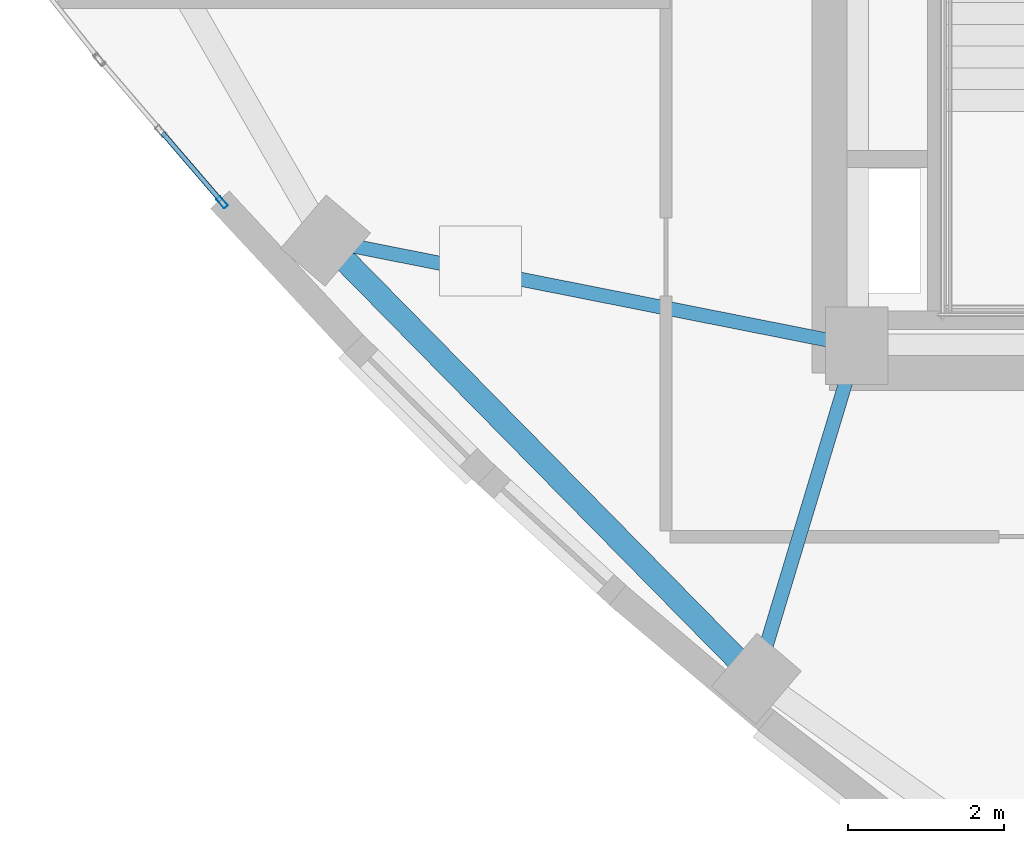
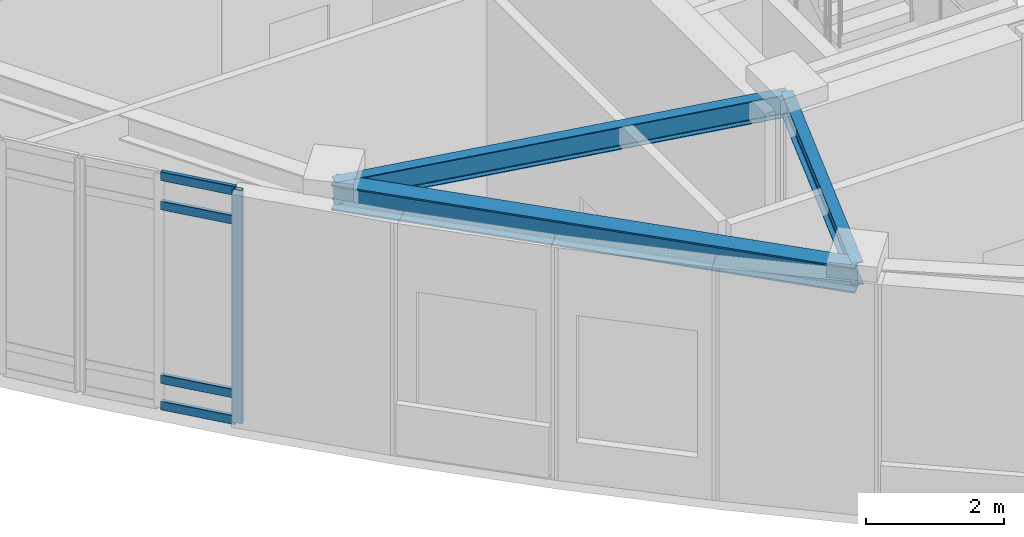
# One storey, part 2 of 19: 5 members, 3 beams, 1 element without a shape of its own.
"""IFC4 building model written with IfcOpenShell, lengths in metres."""

from ifc_helpers import new_model, si_unit, direction, frame, origin, origin_2d, place, context, subcontext, project, spatial, hollow_rectangle, i_section, extrude, material, layer, layer_set, material_profile, profile_set, type_object, element, aggregate, save


model = new_model("IFC4")

# Units and contexts
model_context = context("Model", 3, precision=1e-05, world=origin(), true_north=direction((0.0, 1.0)))
body_context = subcontext(model_context, "Body", "Model", "MODEL_VIEW")
ifc_project = project(units=[si_unit("LENGTHUNIT", "METRE"), si_unit("AREAUNIT", "SQUARE_METRE"), si_unit("VOLUMEUNIT", "CUBIC_METRE"), si_unit("PLANEANGLEUNIT", "RADIAN"), si_unit("MASSUNIT", "GRAM", prefix="KILO")], contexts=[model_context])

# Site, building, storey
site_placement = place(None, origin())
site = spatial("IfcSite", under=ifc_project, at=site_placement, CompositionType="ELEMENT")
building_placement = place(site_placement, origin())
building = spatial("IfcBuilding", under=site, at=building_placement, Name="Ndelora Gate Hotel", CompositionType="ELEMENT")
storey_placement = place(building_placement, frame((0.0, 0.0, 290.39990234375)))
storey = spatial("IfcBuildingStorey", under=building, at=storey_placement, Name="L72", CompositionType="ELEMENT", Elevation=290.39990234375)

# Beams
ifc_material_1 = material(Name="Steel S355", Category="steel")
ifc_material_profile_1 = material_profile(ifc_material_1, i_section(OverallWidth=0.179931640625, OverallDepth=0.39990234375, WebThickness=0.008544921875, FlangeThickness=0.013427734375, FilletRadius=0.02099609375, at=origin_2d()), Name="IPE 400")
ifc_profile_set_1 = profile_set([ifc_material_profile_1], Name="Steel S355")
beam_type_1 = type_object("IfcBeamType", Name="BM-RAD-400", PredefinedType="BEAM", material=ifc_profile_set_1)
beam_1_placement = place(storey_placement, frame((-8.0, -6.60009765625, 3.93017578125), z_axis=(-0.980943509294, 0.194293158846, 0.0), x_axis=(-0.194293158846, -0.980943509294, 0.0)))
element("IfcBeam", 1, at=beam_1_placement, inside=storey, type_object=beam_type_1, Name="L72 structural beam FB-5", PredefinedType="BEAM", context=body_context, shape_type="SweptSolid", body=[
    extrude(i_section(OverallWidth=0.179931640625, OverallDepth=0.39990234375, WebThickness=0.008544921875, FlangeThickness=0.013427734375, FilletRadius=0.02099609375, at=origin_2d()), origin(), (0.0, 0.0, 1.0), 6.955078125),
])
beam_2_placement = place(storey_placement, frame((-8.0, -6.60009765625, 3.93017578125), z_axis=(-0.288626468578, -0.957441779763, 0.0), x_axis=(0.957441779763, -0.288626468578, 0.0)))
element("IfcBeam", 2, at=beam_2_placement, inside=storey, type_object=beam_type_1, Name="L72 structural beam FB-5", PredefinedType="BEAM", context=body_context, shape_type="SweptSolid", body=[
    extrude(i_section(OverallWidth=0.179931640625, OverallDepth=0.39990234375, WebThickness=0.008544921875, FlangeThickness=0.013427734375, FilletRadius=0.02099609375, at=origin_2d()), origin(), (0.0, 0.0, 1.0), 4.46630859375),
])
ifc_material_profile_2 = material_profile(ifc_material_1, i_section(OverallWidth=0.300048828125, OverallDepth=0.449951171875, WebThickness=0.013916015625, FlangeThickness=0.02587890625, FilletRadius=0.027099609375, at=origin_2d()), Name="HEB 450")
ifc_profile_set_2 = profile_set([ifc_material_profile_2], Name="Steel S355")
beam_type_2 = type_object("IfcBeamType", Name="BM-RING-450", PredefinedType="SPANDREL", material=ifc_profile_set_2)
beam_3_placement = place(storey_placement, frame((-14.822509765625, -5.248779296875, 3.905029296875), z_axis=(0.701126845775, -0.713036567179, 0.0), x_axis=(0.713036567179, 0.701126845775, 0.0)))
element("IfcBeam", 3, at=beam_3_placement, inside=storey, type_object=beam_type_2, Name="L72 structural beam RB-5", PredefinedType="SPANDREL", context=body_context, shape_type="SweptSolid", body=[
    extrude(i_section(OverallWidth=0.300048828125, OverallDepth=0.449951171875, WebThickness=0.013916015625, FlangeThickness=0.02587890625, FilletRadius=0.027099609375, at=origin_2d()), origin(), (0.0, 0.0, 1.0), 7.892333984375),
])

# Curtain wall, members
ifc_material_2 = material(Name="Bronze Anodised Unitised Aluminium and Low-E Glass", Category="aluminium")
ifc_layer = layer(ifc_material_2, 0.219970703125)
ifc_layer_set = layer_set([ifc_layer], Name="Bronze Anodised Unitised Aluminium and Low-E Glass")
curtain_wall_type = type_object("IfcCurtainWallType", Name="CW-SYS-7", PredefinedType="NOTDEFINED", material=ifc_layer_set)
curtain_wall_placement = place(storey_placement, origin())
curtain_wall = element("IfcCurtainWall", 4, at=curtain_wall_placement, inside=storey, type_object=curtain_wall_type, Name="L72 West Peak Horizon Observatory Curtain Wall 2", PredefinedType="NOTDEFINED")
ifc_material_3 = material(Name="Bronze Anodised Aluminium 6063-T6", Category="aluminium")
ifc_material_profile_3 = material_profile(ifc_material_3, hollow_rectangle(XDim=0.06494140625, YDim=0.159912109375, WallThickness=0.00390625, InnerFilletRadius=0.00390625, OuterFilletRadius=0.008056640625, at=origin_2d()), Name="ALU 160x65x4")
ifc_profile_set_3 = profile_set([ifc_material_profile_3], Name="Bronze Anodised Aluminium 6063-T6")
member_type_1 = type_object("IfcMemberType", Name="MB-CW-MUL150", PredefinedType="MULLION", material=ifc_profile_set_3)
member_1_placement = place(storey_placement, frame((-16.151123046875, -4.755615234375, -0.00390625), z_axis=(0.0, 0.0, 1.0), x_axis=(0.75852990573, 0.651638229475, 0.0)))
member_1 = element("IfcMember", 5, at=member_1_placement, type_object=member_type_1, Name="CW7 mullion 3", PredefinedType="MULLION", context=body_context, shape_type="SweptSolid", body=[
    extrude(hollow_rectangle(XDim=0.06494140625, YDim=0.159912109375, WallThickness=0.00390625, InnerFilletRadius=0.00390625, OuterFilletRadius=0.008056640625, at=origin_2d()), origin(), (0.0, 0.0, 1.0), 4.137939453125),
])
ifc_material_profile_4 = material_profile(ifc_material_3, hollow_rectangle(XDim=0.06494140625, YDim=0.159912109375, WallThickness=0.00390625, InnerFilletRadius=0.00390625, OuterFilletRadius=0.008056640625, at=origin_2d()), Name="ALU 160x65x4")
ifc_profile_set_4 = profile_set([ifc_material_profile_4], Name="Bronze Anodised Aluminium 6063-T6")
member_type_2 = type_object("IfcMemberType", Name="MB-CW-TRN150", PredefinedType="USERDEFINED", material=ifc_profile_set_4)
member_2_placement = place(storey_placement, frame((-16.9169921875, -3.864013671875, 0.03271484375), z_axis=(0.65163111185, -0.758536020285, 0.0), x_axis=(0.758536020285, 0.65163111185, 0.0)))
member_2 = element("IfcMember", 6, at=member_2_placement, type_object=member_type_2, Name="CW7 transom 2.1", ObjectType="TRANSOM", PredefinedType="USERDEFINED", context=body_context, shape_type="SweptSolid", body=[
    extrude(hollow_rectangle(XDim=0.06494140625, YDim=0.159912109375, WallThickness=0.00390625, InnerFilletRadius=0.00390625, OuterFilletRadius=0.008056640625, at=origin_2d()), origin(), (0.0, 0.0, 1.0), 1.148681640625),
])
member_3_placement = place(storey_placement, frame((-16.9169921875, -3.864013671875, 0.5), z_axis=(0.65163111185, -0.758536020285, 0.0), x_axis=(0.758536020285, 0.65163111185, 0.0)))
member_3 = element("IfcMember", 7, at=member_3_placement, type_object=member_type_2, Name="CW7 transom 2.2", ObjectType="TRANSOM", PredefinedType="USERDEFINED", context=body_context, shape_type="SweptSolid", body=[
    extrude(hollow_rectangle(XDim=0.06494140625, YDim=0.159912109375, WallThickness=0.00390625, InnerFilletRadius=0.00390625, OuterFilletRadius=0.008056640625, at=origin_2d()), origin(), (0.0, 0.0, 1.0), 1.148681640625),
])
member_4_placement = place(storey_placement, frame((-16.9169921875, -3.864013671875, 3.580078125), z_axis=(0.65163111185, -0.758536020285, 0.0), x_axis=(0.758536020285, 0.65163111185, 0.0)))
member_4 = element("IfcMember", 8, at=member_4_placement, type_object=member_type_2, Name="CW7 transom 2.3", ObjectType="TRANSOM", PredefinedType="USERDEFINED", context=body_context, shape_type="SweptSolid", body=[
    extrude(hollow_rectangle(XDim=0.06494140625, YDim=0.159912109375, WallThickness=0.00390625, InnerFilletRadius=0.00390625, OuterFilletRadius=0.008056640625, at=origin_2d()), origin(), (0.0, 0.0, 1.0), 1.148681640625),
])
member_5_placement = place(storey_placement, frame((-16.9169921875, -3.864013671875, 4.09765625), z_axis=(0.65163111185, -0.758536020285, 0.0), x_axis=(0.758536020285, 0.65163111185, 0.0)))
member_5 = element("IfcMember", 9, at=member_5_placement, type_object=member_type_2, Name="CW7 transom 2.4", ObjectType="TRANSOM", PredefinedType="USERDEFINED", context=body_context, shape_type="SweptSolid", body=[
    extrude(hollow_rectangle(XDim=0.06494140625, YDim=0.159912109375, WallThickness=0.00390625, InnerFilletRadius=0.00390625, OuterFilletRadius=0.008056640625, at=origin_2d()), origin(), (0.0, 0.0, 1.0), 1.148681640625),
])
aggregate(curtain_wall, [member_1, member_2, member_3, member_4, member_5])

save(model, "model.ifc")
